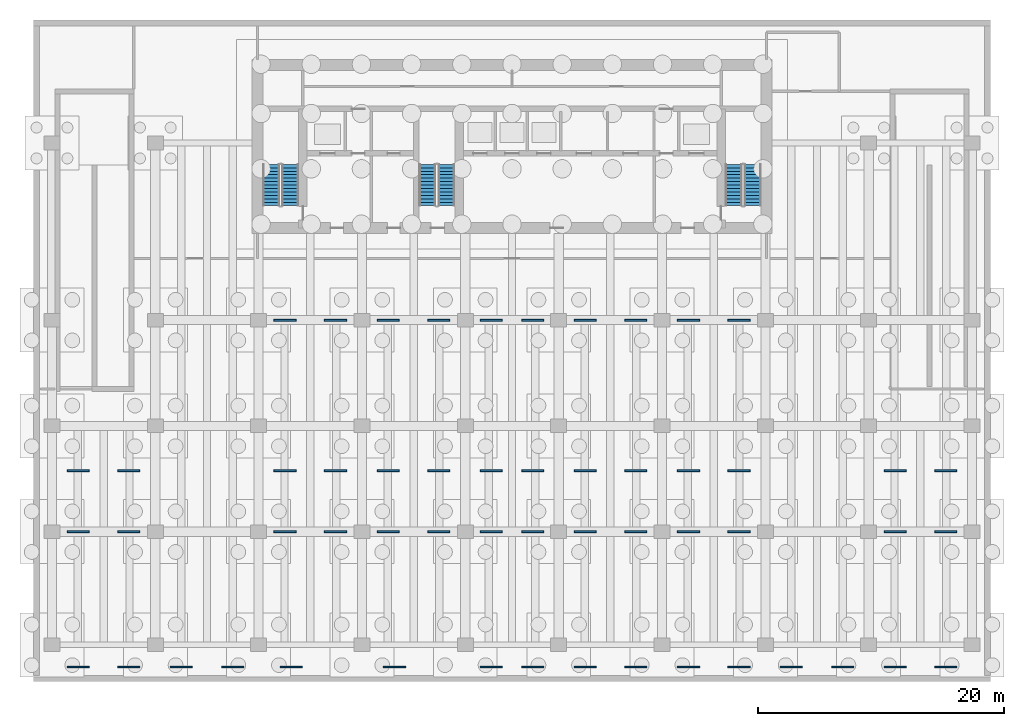
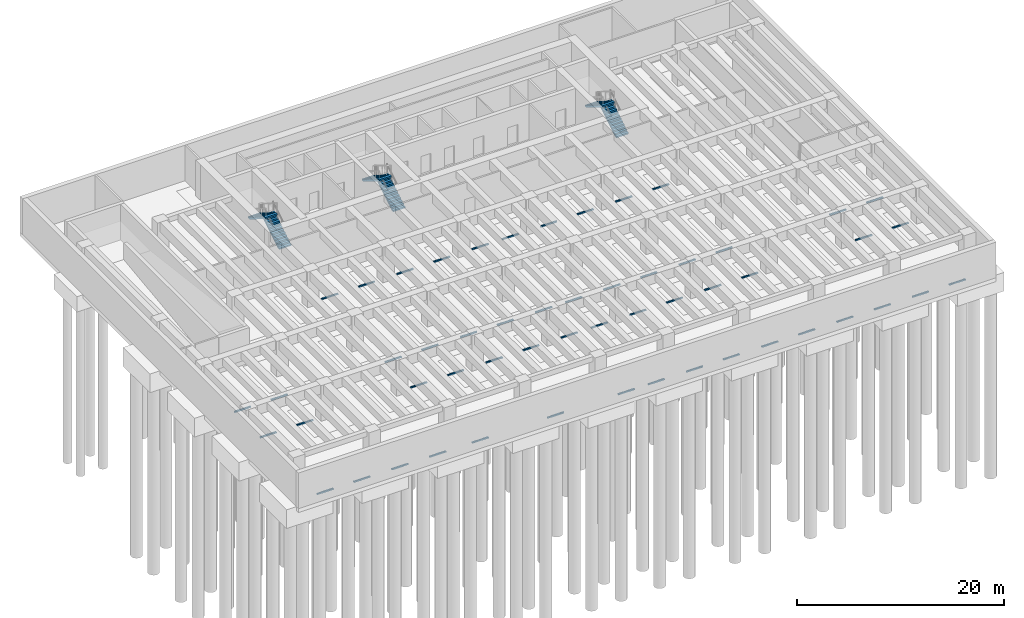
# One storey, part 7 of 10: 54 discrete accessories, 6 stair flights, 3 elements without a shape of their own.
"""IFC4 building model written with IfcOpenShell, lengths in metres."""

from ifc_helpers import new_model, si_unit, direction, frame, origin, origin_2d, place, context, subcontext, project, spatial, polyline, rectangle, outline, extrude, material, type_object, element, aggregate, save


model = new_model("IFC4")

# Units and contexts
model_context = context("Model", 3, precision=1e-05, world=origin(), true_north=direction((0.0, 1.0)))
body_context = subcontext(model_context, "Body", "Model", "MODEL_VIEW")
ifc_project = project(units=[si_unit("LENGTHUNIT", "METRE"), si_unit("AREAUNIT", "SQUARE_METRE"), si_unit("VOLUMEUNIT", "CUBIC_METRE"), si_unit("PLANEANGLEUNIT", "RADIAN"), si_unit("MASSUNIT", "GRAM", prefix="KILO")], contexts=[model_context])

# Site, building, storey
site_placement = place(None, origin())
site = spatial("IfcSite", under=ifc_project, at=site_placement, CompositionType="ELEMENT")
building_placement = place(site_placement, origin())
building = spatial("IfcBuilding", under=site, at=building_placement, Name="Caelmar Bay Residences", CompositionType="ELEMENT")
storey_placement = place(building_placement, frame((0.0, 0.0, -9.0)))
storey = spatial("IfcBuildingStorey", under=building, at=storey_placement, Name="B02", CompositionType="ELEMENT", Elevation=-9.0)

# Stair, stair flights
ifc_material_1 = material(Name="Concrete f'c 40 MPa (6,000 psi)", Category="concrete")
stair_type = type_object("IfcStairType", Name="ST-BSM-173", PredefinedType="HALF_TURN_STAIR", material=ifc_material_1)
stair_1_placement = place(storey_placement, origin())
stair_1 = element("IfcStair", 1, at=stair_1_placement, inside=storey, type_object=stair_type, Name="B02 West Smokeproof Exit Stair ST1", PredefinedType="HALF_TURN_STAIR")
ifc_material_2 = material(Name="Precast concrete f'c 40 MPa (6,000 psi)", Category="concrete")
stair_flight_type = type_object("IfcStairFlightType", Name="STF-1400", PredefinedType="STRAIGHT", material=ifc_material_2)
stair_flight_1_placement = place(storey_placement, frame((20.875, 38.699951171875, 0.0), z_axis=(0.0, 0.0, 1.0), x_axis=(0.0, 1.0, 0.0)))
stair_flight_1 = element("IfcStairFlight", 2, at=stair_flight_1_placement, type_object=stair_flight_type, Name="ST1 flight 1", NumberOfRisers=13, NumberOfTreads=12, PredefinedType="STRAIGHT", RiserHeight=0.173076923, TreadLength=0.28, context=body_context, shape_type="SweptSolid", body=[
    extrude(outline(polyline([(0.0, 0.0), (0.0, 0.173095703125), (0.280029296875, 0.173095703125), (0.280029296875, 0.34619140625), (0.56005859375, 0.34619140625), (0.56005859375, 0.519287109375), (0.840087890625, 0.519287109375), (0.840087890625, 0.6923828125), (1.1201171875, 0.6923828125), (1.1201171875, 0.865478515625), (1.39990234375, 0.865478515625), (1.39990234375, 1.03857421875), (1.679931640625, 1.03857421875), (1.679931640625, 1.21142578125), (1.9599609375, 1.21142578125), (1.9599609375, 1.384521484375), (2.239990234375, 1.384521484375), (2.239990234375, 1.5576171875), (2.52001953125, 1.5576171875), (2.52001953125, 1.730712890625), (2.800048828125, 1.730712890625), (2.800048828125, 1.90380859375), (3.080078125, 1.90380859375), (3.080078125, 2.076904296875), (3.360107421875, 2.076904296875), (3.360107421875, 2.25), (3.360107421875, 1.900634765625), (0.28515625, 0.0), (0.0, 0.0)])), frame((0.0, 0.675048828125, 0.0), z_axis=(0.0, -1.0, 0.0), x_axis=(1.0, 0.0, 0.0)), (0.0, 0.0, 1.0), 1.35009765625),
])
stair_flight_2_placement = place(storey_placement, frame((19.324951171875, 42.06005859375, 2.25), z_axis=(0.0, 0.0, 1.0), x_axis=(0.0, -1.0, 0.0)))
stair_flight_2 = element("IfcStairFlight", 3, at=stair_flight_2_placement, type_object=stair_flight_type, Name="ST1 flight 2", NumberOfRisers=13, NumberOfTreads=12, PredefinedType="STRAIGHT", RiserHeight=0.173076923, TreadLength=0.28, context=body_context, shape_type="SweptSolid", body=[
    extrude(outline(polyline([(0.0, 0.0), (0.0, 0.173095703125), (0.280029296875, 0.173095703125), (0.280029296875, 0.34619140625), (0.56005859375, 0.34619140625), (0.56005859375, 0.519287109375), (0.840087890625, 0.519287109375), (0.840087890625, 0.6923828125), (1.1201171875, 0.6923828125), (1.1201171875, 0.865478515625), (1.39990234375, 0.865478515625), (1.39990234375, 1.03857421875), (1.679931640625, 1.03857421875), (1.679931640625, 1.21142578125), (1.9599609375, 1.21142578125), (1.9599609375, 1.384521484375), (2.239990234375, 1.384521484375), (2.239990234375, 1.5576171875), (2.52001953125, 1.5576171875), (2.52001953125, 1.730712890625), (2.800048828125, 1.730712890625), (2.800048828125, 1.90380859375), (3.080078125, 1.90380859375), (3.080078125, 2.076904296875), (3.360107421875, 2.076904296875), (3.360107421875, 2.25), (3.360107421875, 1.900634765625), (0.28515625, 0.0), (0.0, 0.0)])), frame((0.0, 0.675048828125, 0.0), z_axis=(0.0, -1.0, 0.0), x_axis=(1.0, 0.0, 0.0)), (0.0, 0.0, 1.0), 1.35009765625),
])
aggregate(stair_1, [stair_flight_1, stair_flight_2])

stair_2_placement = place(storey_placement, origin())
stair_2 = element("IfcStair", 4, at=stair_2_placement, inside=storey, type_object=stair_type, Name="B02 East Smokeproof Exit Stair ST2", PredefinedType="HALF_TURN_STAIR")
stair_flight_3_placement = place(storey_placement, frame((58.47509765625, 38.699951171875, 0.0), z_axis=(0.0, 0.0, 1.0), x_axis=(0.0, 1.0, 0.0)))
stair_flight_3 = element("IfcStairFlight", 5, at=stair_flight_3_placement, type_object=stair_flight_type, Name="ST2 flight 1", NumberOfRisers=13, NumberOfTreads=12, PredefinedType="STRAIGHT", RiserHeight=0.173076923, TreadLength=0.28, context=body_context, shape_type="SweptSolid", body=[
    extrude(outline(polyline([(0.0, 0.0), (0.0, 0.173095703125), (0.280029296875, 0.173095703125), (0.280029296875, 0.34619140625), (0.56005859375, 0.34619140625), (0.56005859375, 0.519287109375), (0.840087890625, 0.519287109375), (0.840087890625, 0.6923828125), (1.1201171875, 0.6923828125), (1.1201171875, 0.865478515625), (1.39990234375, 0.865478515625), (1.39990234375, 1.03857421875), (1.679931640625, 1.03857421875), (1.679931640625, 1.21142578125), (1.9599609375, 1.21142578125), (1.9599609375, 1.384521484375), (2.239990234375, 1.384521484375), (2.239990234375, 1.5576171875), (2.52001953125, 1.5576171875), (2.52001953125, 1.730712890625), (2.800048828125, 1.730712890625), (2.800048828125, 1.90380859375), (3.080078125, 1.90380859375), (3.080078125, 2.076904296875), (3.360107421875, 2.076904296875), (3.360107421875, 2.25), (3.360107421875, 1.900634765625), (0.28515625, 0.0), (0.0, 0.0)])), frame((0.0, 0.675048828125, 0.0), z_axis=(0.0, -1.0, 0.0), x_axis=(1.0, 0.0, 0.0)), (0.0, 0.0, 1.0), 1.35009765625),
])
stair_flight_4_placement = place(storey_placement, frame((56.925048828125, 42.06005859375, 2.25), z_axis=(0.0, 0.0, 1.0), x_axis=(0.0, -1.0, 0.0)))
stair_flight_4 = element("IfcStairFlight", 6, at=stair_flight_4_placement, type_object=stair_flight_type, Name="ST2 flight 2", NumberOfRisers=13, NumberOfTreads=12, PredefinedType="STRAIGHT", RiserHeight=0.173076923, TreadLength=0.28, context=body_context, shape_type="SweptSolid", body=[
    extrude(outline(polyline([(0.0, 0.0), (0.0, 0.173095703125), (0.280029296875, 0.173095703125), (0.280029296875, 0.34619140625), (0.56005859375, 0.34619140625), (0.56005859375, 0.519287109375), (0.840087890625, 0.519287109375), (0.840087890625, 0.6923828125), (1.1201171875, 0.6923828125), (1.1201171875, 0.865478515625), (1.39990234375, 0.865478515625), (1.39990234375, 1.03857421875), (1.679931640625, 1.03857421875), (1.679931640625, 1.21142578125), (1.9599609375, 1.21142578125), (1.9599609375, 1.384521484375), (2.239990234375, 1.384521484375), (2.239990234375, 1.5576171875), (2.52001953125, 1.5576171875), (2.52001953125, 1.730712890625), (2.800048828125, 1.730712890625), (2.800048828125, 1.90380859375), (3.080078125, 1.90380859375), (3.080078125, 2.076904296875), (3.360107421875, 2.076904296875), (3.360107421875, 2.25), (3.360107421875, 1.900634765625), (0.28515625, 0.0), (0.0, 0.0)])), frame((0.0, 0.675048828125, 0.0), z_axis=(0.0, -1.0, 0.0), x_axis=(1.0, 0.0, 0.0)), (0.0, 0.0, 1.0), 1.35009765625),
])
aggregate(stair_2, [stair_flight_3, stair_flight_4])

stair_3_placement = place(storey_placement, origin())
stair_3 = element("IfcStair", 7, at=stair_3_placement, inside=storey, type_object=stair_type, Name="B02 Central Smokeproof Exit Stair ST3", PredefinedType="HALF_TURN_STAIR")
stair_flight_5_placement = place(storey_placement, frame((33.574951171875, 38.699951171875, 0.0), z_axis=(0.0, 0.0, 1.0), x_axis=(0.0, 1.0, 0.0)))
stair_flight_5 = element("IfcStairFlight", 8, at=stair_flight_5_placement, type_object=stair_flight_type, Name="ST3 flight 1", NumberOfRisers=13, NumberOfTreads=12, PredefinedType="STRAIGHT", RiserHeight=0.173076923, TreadLength=0.28, context=body_context, shape_type="SweptSolid", body=[
    extrude(outline(polyline([(0.0, 0.0), (0.0, 0.173095703125), (0.280029296875, 0.173095703125), (0.280029296875, 0.34619140625), (0.56005859375, 0.34619140625), (0.56005859375, 0.519287109375), (0.840087890625, 0.519287109375), (0.840087890625, 0.6923828125), (1.1201171875, 0.6923828125), (1.1201171875, 0.865478515625), (1.39990234375, 0.865478515625), (1.39990234375, 1.03857421875), (1.679931640625, 1.03857421875), (1.679931640625, 1.21142578125), (1.9599609375, 1.21142578125), (1.9599609375, 1.384521484375), (2.239990234375, 1.384521484375), (2.239990234375, 1.5576171875), (2.52001953125, 1.5576171875), (2.52001953125, 1.730712890625), (2.800048828125, 1.730712890625), (2.800048828125, 1.90380859375), (3.080078125, 1.90380859375), (3.080078125, 2.076904296875), (3.360107421875, 2.076904296875), (3.360107421875, 2.25), (3.360107421875, 1.900634765625), (0.28515625, 0.0), (0.0, 0.0)])), frame((0.0, 0.675048828125, 0.0), z_axis=(0.0, -1.0, 0.0), x_axis=(1.0, 0.0, 0.0)), (0.0, 0.0, 1.0), 1.35009765625),
])
stair_flight_6_placement = place(storey_placement, frame((32.02490234375, 42.06005859375, 2.25), z_axis=(0.0, 0.0, 1.0), x_axis=(0.0, -1.0, 0.0)))
stair_flight_6 = element("IfcStairFlight", 9, at=stair_flight_6_placement, type_object=stair_flight_type, Name="ST3 flight 2", NumberOfRisers=13, NumberOfTreads=12, PredefinedType="STRAIGHT", RiserHeight=0.173076923, TreadLength=0.28, context=body_context, shape_type="SweptSolid", body=[
    extrude(outline(polyline([(0.0, 0.0), (0.0, 0.173095703125), (0.280029296875, 0.173095703125), (0.280029296875, 0.34619140625), (0.56005859375, 0.34619140625), (0.56005859375, 0.519287109375), (0.840087890625, 0.519287109375), (0.840087890625, 0.6923828125), (1.1201171875, 0.6923828125), (1.1201171875, 0.865478515625), (1.39990234375, 0.865478515625), (1.39990234375, 1.03857421875), (1.679931640625, 1.03857421875), (1.679931640625, 1.21142578125), (1.9599609375, 1.21142578125), (1.9599609375, 1.384521484375), (2.239990234375, 1.384521484375), (2.239990234375, 1.5576171875), (2.52001953125, 1.5576171875), (2.52001953125, 1.730712890625), (2.800048828125, 1.730712890625), (2.800048828125, 1.90380859375), (3.080078125, 1.90380859375), (3.080078125, 2.076904296875), (3.360107421875, 2.076904296875), (3.360107421875, 2.25), (3.360107421875, 1.900634765625), (0.28515625, 0.0), (0.0, 0.0)])), frame((0.0, 0.675048828125, 0.0), z_axis=(0.0, -1.0, 0.0), x_axis=(1.0, 0.0, 0.0)), (0.0, 0.0, 1.0), 1.35009765625),
])
aggregate(stair_3, [stair_flight_5, stair_flight_6])

# Discrete accessories
ifc_material_3 = material(Name="Precast concrete f'c 30 MPa (4,500 psi)", Category="concrete")
discrete_accessory_type = type_object("IfcDiscreteAccessoryType", Name="ACC-WHLSTOP-1800", PredefinedType="USERDEFINED", material=ifc_material_3)
for number, where, z_axis, x_axis, name in (
    (10, (3.64990234375, 1.199951171875, 0.0), (0.0, 0.0, 1.0), (1.0, 0.0, 0.0), "B02 Parking Stall 1 Wheel Stop"),
    (11, (7.75, 1.199951171875, 0.0), (0.0, 0.0, 1.0), (1.0, 0.0, 0.0), "B02 Parking Stall 2 Wheel Stop"),
    (12, (12.0, 1.199951171875, 0.0), (0.0, 0.0, 1.0), (1.0, 0.0, 0.0), "B02 Parking Stall 3 Wheel Stop"),
    (13, (16.199951171875, 1.199951171875, 0.0), (0.0, 0.0, 1.0), (1.0, 0.0, 0.0), "B02 Parking Stall 4 Wheel Stop"),
    (14, (20.949951171875, 1.199951171875, 0.0), (0.0, 0.0, 1.0), (1.0, 0.0, 0.0), "B02 Accessible Parking Bay 5 Wheel Stop"),
    (15, (29.35009765625, 1.199951171875, 0.0), (0.0, 0.0, 1.0), (1.0, 0.0, 0.0), "B02 Accessible Parking Bay 6 Wheel Stop"),
    (16, (37.22509765625, 1.199951171875, 0.0), (0.0, 0.0, 1.0), (1.0, 0.0, 0.0), "B02 Parking Stall 7 Wheel Stop"),
    (17, (40.574951171875, 1.199951171875, 0.0), (0.0, 0.0, 1.0), (1.0, 0.0, 0.0), "B02 Parking Stall 8 Wheel Stop"),
    (18, (44.85009765625, 1.199951171875, 0.0), (0.0, 0.0, 1.0), (1.0, 0.0, 0.0), "B02 Parking Stall 9 Wheel Stop"),
    (19, (48.949951171875, 1.199951171875, 0.0), (0.0, 0.0, 1.0), (1.0, 0.0, 0.0), "B02 Parking Stall 10 Wheel Stop"),
    (20, (53.25, 1.199951171875, 0.0), (0.0, 0.0, 1.0), (1.0, 0.0, 0.0), "B02 Parking Stall 11 Wheel Stop"),
    (21, (57.35009765625, 1.199951171875, 0.0), (0.0, 0.0, 1.0), (1.0, 0.0, 0.0), "B02 Parking Stall 12 Wheel Stop"),
    (22, (61.60009765625, 1.199951171875, 0.0), (0.0, 0.0, 1.0), (1.0, 0.0, 0.0), "B02 Parking Stall 13 Wheel Stop"),
    (23, (65.800048828125, 1.199951171875, 0.0), (0.0, 0.0, 1.0), (1.0, 0.0, 0.0), "B02 Parking Stall 14 Wheel Stop"),
    (24, (70.050048828125, 1.199951171875, 0.0), (0.0, 0.0, 1.0), (1.0, 0.0, 0.0), "B02 Parking Stall 15 Wheel Stop"),
    (25, (74.14990234375, 1.199951171875, 0.0), (0.0, 0.0, 1.0), (1.0, 0.0, 0.0), "B02 Parking Stall 16 Wheel Stop"),
    (26, (3.64990234375, 12.199951171875, 0.0), (0.0, 0.0, 1.0), (1.0, 0.0, 0.0), "B02 Parking Stall 17 Wheel Stop"),
    (27, (7.75, 12.199951171875, 0.0), (0.0, 0.0, 1.0), (1.0, 0.0, 0.0), "B02 Parking Stall 18 Wheel Stop"),
    (28, (20.449951171875, 12.199951171875, 0.0), (0.0, 0.0, 1.0), (1.0, 0.0, 0.0), "B02 Parking Stall 19 Wheel Stop"),
    (29, (24.550048828125, 12.199951171875, 0.0), (0.0, 0.0, 1.0), (1.0, 0.0, 0.0), "B02 Parking Stall 20 Wheel Stop"),
    (30, (28.85009765625, 12.199951171875, 0.0), (0.0, 0.0, 1.0), (1.0, 0.0, 0.0), "B02 Parking Stall 21 Wheel Stop"),
    (31, (32.949951171875, 12.199951171875, 0.0), (0.0, 0.0, 1.0), (1.0, 0.0, 0.0), "B02 Parking Stall 22 Wheel Stop"),
    (32, (37.22509765625, 12.199951171875, 0.0), (0.0, 0.0, 1.0), (1.0, 0.0, 0.0), "B02 Parking Stall 23 Wheel Stop"),
    (33, (40.574951171875, 12.199951171875, 0.0), (0.0, 0.0, 1.0), (1.0, 0.0, 0.0), "B02 Parking Stall 24 Wheel Stop"),
    (34, (44.85009765625, 12.199951171875, 0.0), (0.0, 0.0, 1.0), (1.0, 0.0, 0.0), "B02 Parking Stall 25 Wheel Stop"),
    (35, (48.949951171875, 12.199951171875, 0.0), (0.0, 0.0, 1.0), (1.0, 0.0, 0.0), "B02 Parking Stall 26 Wheel Stop"),
    (36, (53.25, 12.199951171875, 0.0), (0.0, 0.0, 1.0), (1.0, 0.0, 0.0), "B02 Parking Stall 27 Wheel Stop"),
    (37, (57.35009765625, 12.199951171875, 0.0), (0.0, 0.0, 1.0), (1.0, 0.0, 0.0), "B02 Parking Stall 28 Wheel Stop"),
    (38, (70.050048828125, 12.199951171875, 0.0), (0.0, 0.0, 1.0), (1.0, 0.0, 0.0), "B02 Parking Stall 29 Wheel Stop"),
    (39, (74.14990234375, 12.199951171875, 0.0), (0.0, 0.0, 1.0), (1.0, 0.0, 0.0), "B02 Parking Stall 30 Wheel Stop"),
    (40, (3.64990234375, 17.14990234375, 0.0), (0.0, 0.0, 1.0), (1.0, 0.0, 0.0), "B02 Parking Stall 31 Wheel Stop"),
    (41, (7.75, 17.14990234375, 0.0), (0.0, 0.0, 1.0), (1.0, 0.0, 0.0), "B02 Parking Stall 32 Wheel Stop"),
    (42, (20.449951171875, 17.14990234375, 0.0), (0.0, 0.0, 1.0), (1.0, 0.0, 0.0), "B02 Parking Stall 33 Wheel Stop"),
    (43, (24.550048828125, 17.14990234375, 0.0), (0.0, 0.0, 1.0), (1.0, 0.0, 0.0), "B02 Parking Stall 34 Wheel Stop"),
    (44, (28.85009765625, 17.14990234375, 0.0), (0.0, 0.0, 1.0), (1.0, 0.0, 0.0), "B02 Parking Stall 35 Wheel Stop"),
    (45, (32.949951171875, 17.14990234375, 0.0), (0.0, 0.0, 1.0), (1.0, 0.0, 0.0), "B02 Parking Stall 36 Wheel Stop"),
    (46, (37.22509765625, 17.14990234375, 0.0), (0.0, 0.0, 1.0), (1.0, 0.0, 0.0), "B02 Parking Stall 37 Wheel Stop"),
    (47, (40.574951171875, 17.14990234375, 0.0), (0.0, 0.0, 1.0), (1.0, 0.0, 0.0), "B02 Parking Stall 38 Wheel Stop"),
    (48, (44.85009765625, 17.14990234375, 0.0), (0.0, 0.0, 1.0), (1.0, 0.0, 0.0), "B02 Parking Stall 39 Wheel Stop"),
    (49, (48.949951171875, 17.14990234375, 0.0), (0.0, 0.0, 1.0), (1.0, 0.0, 0.0), "B02 Parking Stall 40 Wheel Stop"),
    (50, (53.25, 17.14990234375, 0.0), (0.0, 0.0, 1.0), (1.0, 0.0, 0.0), "B02 Parking Stall 41 Wheel Stop"),
    (51, (57.35009765625, 17.14990234375, 0.0), (0.0, 0.0, 1.0), (1.0, 0.0, 0.0), "B02 Parking Stall 42 Wheel Stop"),
    (52, (70.050048828125, 17.14990234375, 0.0), (0.0, 0.0, 1.0), (1.0, 0.0, 0.0), "B02 Parking Stall 43 Wheel Stop"),
    (53, (74.14990234375, 17.14990234375, 0.0), (0.0, 0.0, 1.0), (1.0, 0.0, 0.0), "B02 Parking Stall 44 Wheel Stop"),
    (54, (20.449951171875, 29.39990234375, 0.0), (0.0, 0.0, 1.0), (1.0, 0.0, 0.0), "B02 Parking Stall 45 Wheel Stop"),
    (55, (24.550048828125, 29.39990234375, 0.0), (0.0, 0.0, 1.0), (1.0, 0.0, 0.0), "B02 Parking Stall 46 Wheel Stop"),
    (56, (28.85009765625, 29.39990234375, 0.0), (0.0, 0.0, 1.0), (1.0, 0.0, 0.0), "B02 Parking Stall 47 Wheel Stop"),
    (57, (32.949951171875, 29.39990234375, 0.0), (0.0, 0.0, 1.0), (1.0, 0.0, 0.0), "B02 Parking Stall 48 Wheel Stop"),
    (58, (37.22509765625, 29.39990234375, 0.0), (0.0, 0.0, 1.0), (1.0, 0.0, 0.0), "B02 Parking Stall 49 Wheel Stop"),
    (59, (40.574951171875, 29.39990234375, 0.0), (0.0, 0.0, 1.0), (1.0, 0.0, 0.0), "B02 Parking Stall 50 Wheel Stop"),
    (60, (44.85009765625, 29.39990234375, 0.0), (0.0, 0.0, 1.0), (1.0, 0.0, 0.0), "B02 Parking Stall 51 Wheel Stop"),
    (61, (48.949951171875, 29.39990234375, 0.0), (0.0, 0.0, 1.0), (1.0, 0.0, 0.0), "B02 Parking Stall 52 Wheel Stop"),
    (62, (53.25, 29.39990234375, 0.0), (0.0, 0.0, 1.0), (1.0, 0.0, 0.0), "B02 Parking Stall 53 Wheel Stop"),
    (63, (57.35009765625, 29.39990234375, 0.0), (0.0, 0.0, 1.0), (1.0, 0.0, 0.0), "B02 Parking Stall 54 Wheel Stop"),
):
    element("IfcDiscreteAccessory", number, at=place(storey_placement, frame(where, z_axis=z_axis, x_axis=x_axis)), inside=storey, type_object=discrete_accessory_type, Name=name, ObjectType="WHEEL_STOP", PredefinedType="USERDEFINED", context=body_context, shape_type="SweptSolid", body=[
        extrude(rectangle(XDim=1.800048828125, YDim=0.14990234375, at=origin_2d()), origin(), (0.0, 0.0, 1.0), 0.10009765625),
    ])

save(model, "model.ifc")
